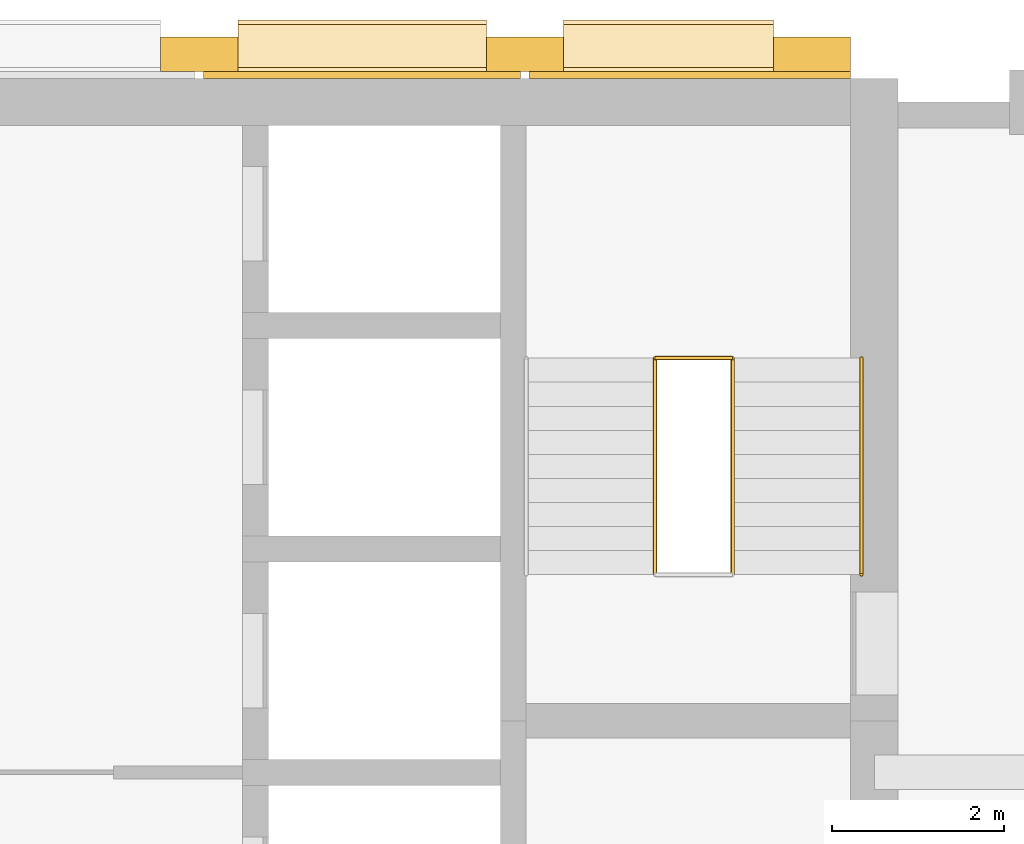
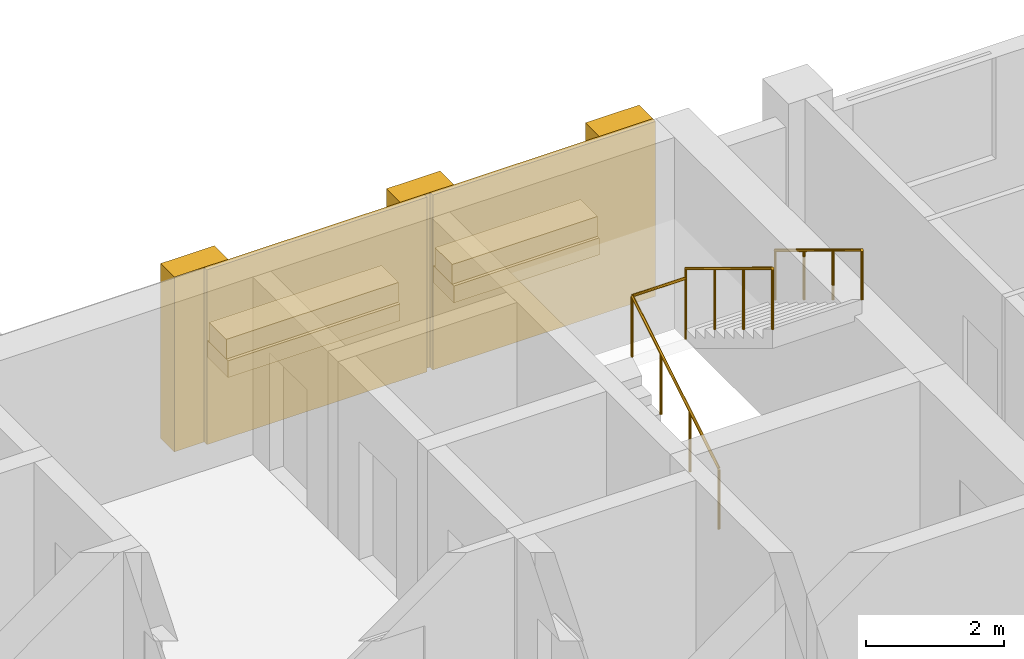
# One storey, part 13 of 13: 9 coverings, 4 railings, 1 element without a shape of its own.
"""IFC4 building model written with IfcOpenShell, lengths in metres."""

import ifcopenshell
import ifcopenshell.guid

model = None  # the IFC model being written
_history = None  # IfcOwnerHistory: only IFC2X3 demands one
_inside = {}  # id of a spatial element -> (the spatial element, [elements in it])
_under = {}  # id of a project, library or spatial element -> (it, [spatial elements below it])
_declared = {}  # id of a project -> (the project, [libraries it declares])
_typed = {}  # id of a type object -> (the type object, [elements of that type])
_made_of = {}  # id of a material, layer set ... -> (it, [elements and type objects made of it])


def new_model(schema):
    """Start an empty IFC model of exactly this schema.

    Asked for "IFC4X3", IfcOpenShell would pick the latest addendum, in which some entities
    have other attributes; the version numbers below select the first issue.
    IFC2X3 requires an IfcOwnerHistory on every rooted entity: one is made here for all.
    """
    global model, _history
    if schema == "IFC4X3":
        model = ifcopenshell.file(schema_version=(4, 3, 0, 0))
    else:
        model = ifcopenshell.file(schema=schema)
    _inside.clear()
    _under.clear()
    _declared.clear()
    _typed.clear()
    _made_of.clear()
    _history = None
    if model.schema == "IFC2X3":
        org = make("IfcOrganization", Name="unknown")
        user = make(
            "IfcPersonAndOrganization",
            ThePerson=make("IfcPerson", FamilyName="unknown"),
            TheOrganization=org,
        )
        app = make(
            "IfcApplication",
            ApplicationDeveloper=org,
            Version="unknown",
            ApplicationFullName="unknown",
            ApplicationIdentifier="unknown",
        )
        _history = make(
            "IfcOwnerHistory",
            OwningUser=user,
            OwningApplication=app,
            ChangeAction="ADDED",
            CreationDate=0,
        )
    return model


def make(cls, **values):
    """One entity of the class cls with the attributes given. An attribute that is None is left unset."""
    return model.create_entity(
        cls, **{name: value for name, value in values.items() if value is not None}
    )


def rooted(cls, **values):
    """An entity with a GlobalId (a new one), such as an element, a storey or a relation."""
    return make(cls, GlobalId=ifcopenshell.guid.new(), OwnerHistory=_history, **values)


def si_unit(unit_type, name, prefix=None):
    """IfcSIUnit, for example si_unit("LENGTHUNIT", "METRE", prefix="MILLI")."""
    return make("IfcSIUnit", UnitType=unit_type, Prefix=prefix, Name=name)


def assignment(units):
    """IfcUnitAssignment: the units of a project."""
    return None if units is None else make("IfcUnitAssignment", Units=units)


def point(xyz):
    """IfcCartesianPoint."""
    return None if xyz is None else make("IfcCartesianPoint", Coordinates=xyz)


def direction(xyz):
    """IfcDirection."""
    return None if xyz is None else make("IfcDirection", DirectionRatios=xyz)


def frame(location, z_axis=None, x_axis=None):
    """IfcAxis2Placement3D, a coordinate frame: its origin and axes. An axis left out is left unset."""
    return make(
        "IfcAxis2Placement3D",
        Location=point(location),
        Axis=direction(z_axis),
        RefDirection=direction(x_axis),
    )


def frame_2d(location, x_axis=None):
    """IfcAxis2Placement2D, a coordinate frame in the plane: its origin and x axis."""
    return make(
        "IfcAxis2Placement2D", Location=point(location), RefDirection=direction(x_axis)
    )


def origin():
    """The frame at (0, 0, 0) with its axes left unset."""
    return frame((0.0, 0.0, 0.0))


def origin_2d():
    """The frame at (0, 0) in the plane with its x axis left unset."""
    return frame_2d((0.0, 0.0))


def place(relative_to, where):
    """IfcLocalPlacement: puts the frame where relative to a parent placement (None: the world)."""
    return make(
        "IfcLocalPlacement", PlacementRelTo=relative_to, RelativePlacement=where
    )


def context(
    kind, dimensions, precision=None, world=None, true_north=None, identifier=None
):
    """IfcGeometricRepresentationContext, for example the 3D "Model" context."""
    return make(
        "IfcGeometricRepresentationContext",
        ContextIdentifier=identifier,
        ContextType=kind,
        CoordinateSpaceDimension=dimensions,
        Precision=precision,
        WorldCoordinateSystem=world,
        TrueNorth=true_north,
    )


def subcontext(parent, identifier, kind, view, scale=None):
    """IfcGeometricRepresentationSubContext, for example "Body" below "Model"."""
    return make(
        "IfcGeometricRepresentationSubContext",
        ContextIdentifier=identifier,
        ContextType=kind,
        ParentContext=parent,
        TargetScale=scale,
        TargetView=view,
    )


def project(units=None, contexts=None):
    """IfcProject with its units and contexts."""
    return rooted(
        "IfcProject",
        Name="project",
        RepresentationContexts=contexts,
        UnitsInContext=assignment(units),
    )


def spatial(cls, under=None, at=None, **own):
    """A site, building, storey or space (cls), placed at a placement, below another one or the project."""
    s = rooted(cls, ObjectPlacement=at, **own)
    if under is not None:
        _under.setdefault(under.id(), (under, []))[1].append(s)
    return s


def profile(cls, at=None, kind="AREA", **sizes):
    """A parametric profile (cls). Its sizes go by their IFC names, for example OverallWidth=200.0."""
    return make(cls, ProfileType=kind, Position=at, **sizes)


def rectangle(**sizes):
    """IfcRectangleProfileDef."""
    return profile("IfcRectangleProfileDef", **sizes)


def circle(**sizes):
    """IfcCircleProfileDef."""
    return profile("IfcCircleProfileDef", **sizes)


def extrude(swept, where, along, depth):
    """IfcExtrudedAreaSolid: the profile swept, set in the frame where, extruded along a direction by depth."""
    return make(
        "IfcExtrudedAreaSolid",
        SweptArea=swept,
        Position=where,
        ExtrudedDirection=direction(along),
        Depth=depth,
    )


def shape(context_of_items, identifier, shape_type, items):
    """IfcShapeRepresentation: the items that make up one representation, for example the "Body"."""
    return make(
        "IfcShapeRepresentation",
        ContextOfItems=context_of_items,
        RepresentationIdentifier=identifier,
        RepresentationType=shape_type,
        Items=items,
    )


def material(Name=None, Category=None):
    """IfcMaterial."""
    return make("IfcMaterial", Name=Name, Category=Category)


def layer(
    of_material, thickness, ventilated=None, Name=None, Category=None, Priority=None
):
    """IfcMaterialLayer: one layer of a wall or slab, of a material (None: an air gap)."""
    return make(
        "IfcMaterialLayer",
        Material=of_material,
        LayerThickness=thickness,
        IsVentilated=ventilated,
        Name=Name,
        Category=Category,
        Priority=Priority,
    )


def layer_set(layers, Name=None):
    """IfcMaterialLayerSet."""
    return make("IfcMaterialLayerSet", MaterialLayers=layers, LayerSetName=Name)


def made_of(thing, what):
    """Note that an element or type object is made of a material, layer set ...; save() writes the relation."""
    if what is not None:
        _made_of.setdefault(what.id(), (what, []))[1].append(thing)
    return thing


def type_object(cls, material=None, **own):
    """A type object (cls), such as IfcWallType, which elements share."""
    return made_of(rooted(cls, **own), material)


def element(
    cls,
    number,
    at=None,
    inside=None,
    cuts=None,
    type_object=None,
    material=None,
    context=None,
    identifier="Body",
    shape_type=None,
    held_by="IfcProductDefinitionShape",
    body=None,
    shapes=None,
    **own,
):
    """One element of the class cls, such as IfcWall. Its Tag is "e" and its number.

    at: its placement. inside: the storey or other place that contains it. cuts: it is an
    opening in that element (IfcRelVoidsElement). A single representation is given by context,
    identifier, shape_type and body (its items); several are given by shapes. held_by: the class
    of the entity that holds the representations. save() writes the other relations.
    """
    e = rooted(cls, Tag="e%d" % number, ObjectPlacement=at, **own)
    if body is not None:
        shapes = [shape(context, identifier, shape_type, body)]
    if shapes is not None:
        e.Representation = make(held_by, Representations=shapes)
    if inside is not None:
        _inside.setdefault(inside.id(), (inside, []))[1].append(e)
    if cuts is not None:
        rooted(
            "IfcRelVoidsElement", RelatingBuildingElement=cuts, RelatedOpeningElement=e
        )
    if type_object is not None:
        _typed.setdefault(type_object.id(), (type_object, []))[1].append(e)
    return made_of(e, material)


def aggregate(whole, parts):
    """IfcRelAggregates: a whole, such as a stair, and the parts it consists of."""
    return rooted("IfcRelAggregates", RelatingObject=whole, RelatedObjects=parts)


def save(model, path):
    """Write the relations noted so far, then the file.

    IfcRelAggregates (storeys below a building ...), IfcRelContainedInSpatialStructure (elements
    in a storey), IfcRelDefinesByType, IfcRelAssociatesMaterial and IfcRelDeclares: one each for
    every whole, place, type object, material and project.
    """
    for whole, parts in _under.values():
        aggregate(whole, parts)
    for where, things in _inside.values():
        rooted(
            "IfcRelContainedInSpatialStructure",
            RelatedElements=things,
            RelatingStructure=where,
        )
    for kind, things in _typed.values():
        rooted("IfcRelDefinesByType", RelatedObjects=things, RelatingType=kind)
    for what, things in _made_of.values():
        rooted("IfcRelAssociatesMaterial", RelatedObjects=things, RelatingMaterial=what)
    for by, libraries in _declared.values():
        rooted("IfcRelDeclares", RelatingContext=by, RelatedDefinitions=libraries)
    model.write(path)


model = new_model("IFC4")

# Units and contexts
model_context = context("Model", 3, precision=1e-05, world=origin(), true_north=direction((0.0, 1.0)))
body_context = subcontext(model_context, "Body", "Model", "MODEL_VIEW")
ifc_project = project(units=[si_unit("LENGTHUNIT", "METRE"), si_unit("AREAUNIT", "SQUARE_METRE"), si_unit("VOLUMEUNIT", "CUBIC_METRE"), si_unit("PLANEANGLEUNIT", "RADIAN"), si_unit("MASSUNIT", "GRAM", prefix="KILO")], contexts=[model_context])

# Site, building, storey
site_placement = place(None, origin())
site = spatial("IfcSite", under=ifc_project, at=site_placement, CompositionType="ELEMENT")
building_placement = place(site_placement, origin())
building = spatial("IfcBuilding", under=site, at=building_placement, Name="Ludao Terraces", CompositionType="ELEMENT")
storey_placement = place(building_placement, frame((0.0, 0.0, 186.0)))
storey = spatial("IfcBuildingStorey", under=building, at=storey_placement, Name="L50", CompositionType="ELEMENT", Elevation=186.0)

# Coverings
ifc_material_1 = material(Name="Granite cladding", Category="masonry")
ifc_layer_1 = layer(ifc_material_1, 0.39990234375)
ifc_layer_set_1 = layer_set([ifc_layer_1], Name="ENV Core pilaster stone 400")
covering_type_1 = type_object("IfcCoveringType", Name="ENV Core pilaster stone 400", PredefinedType="CLADDING", material=ifc_layer_set_1)
for number, where, z_axis, x_axis, name in (
    (1, (86.89501953125, 85.054931640625, 0.0), (0.0, 0.0, 1.0), (1.0, 0.0, 0.0), "CC-L50-PIL4"),
    (2, (90.68505859375, 85.054931640625, 0.0), (0.0, 0.0, 1.0), (1.0, 0.0, 0.0), "CC-L50-PIL5"),
    (3, (94.02490234375, 85.054931640625, 0.0), (0.0, 0.0, 1.0), (1.0, 0.0, 0.0), "CC-L50-PIL6"),
):
    element("IfcCovering", number, at=place(storey_placement, frame(where, z_axis=z_axis, x_axis=x_axis)), inside=storey, type_object=covering_type_1, Name=name, PredefinedType="CLADDING", context=body_context, shape_type="SweptSolid", body=[
        extrude(rectangle(XDim=0.89990234375, YDim=0.39990234375, at=origin_2d()), origin(), (0.0, 0.0, 1.0), 3.10009765625),
    ])
ifc_layer_2 = layer(ifc_material_1, 0.60009765625)
ifc_layer_set_2 = layer_set([ifc_layer_2], Name="ENV Core planting shelf stone 600")
covering_type_2 = type_object("IfcCoveringType", Name="ENV Core planting shelf stone 600", PredefinedType="CLADDING", material=ifc_layer_set_2)
covering_1_placement = place(storey_placement, frame((88.7900390625, 85.155029296875, 1.0), z_axis=(0.0, 0.0, 1.0), x_axis=(1.0, 0.0, 0.0)))
element("IfcCovering", 4, at=covering_1_placement, inside=storey, type_object=covering_type_2, Name="CC-L50-SHELF4", PredefinedType="CLADDING", context=body_context, shape_type="SweptSolid", body=[
    extrude(rectangle(XDim=2.889892578125, YDim=0.60009765625, at=origin_2d()), origin(), (0.0, 0.0, 1.0), 0.300048828125),
])
covering_2_placement = place(storey_placement, frame((92.35498046875, 85.155029296875, 1.0), z_axis=(0.0, 0.0, 1.0), x_axis=(1.0, 0.0, 0.0)))
element("IfcCovering", 5, at=covering_2_placement, inside=storey, type_object=covering_type_2, Name="CC-L50-SHELF5", PredefinedType="CLADDING", context=body_context, shape_type="SweptSolid", body=[
    extrude(rectangle(XDim=2.43994140625, YDim=0.60009765625, at=origin_2d()), origin(), (0.0, 0.0, 1.0), 0.300048828125),
])
ifc_layer_3 = layer(ifc_material_1, 0.080078125)
ifc_layer_set_3 = layer_set([ifc_layer_3], Name="ENV Core stone cladding panel 80")
covering_type_3 = type_object("IfcCoveringType", Name="ENV Core stone cladding panel 80", PredefinedType="CLADDING", material=ifc_layer_set_3)
covering_3_placement = place(storey_placement, frame((88.7900390625, 84.81494140625, 0.0), z_axis=(0.0, 0.0, 1.0), x_axis=(1.0, 0.0, 0.0)))
element("IfcCovering", 6, at=covering_3_placement, inside=storey, type_object=covering_type_3, Name="CC-L50-CORE4", PredefinedType="CLADDING", context=body_context, shape_type="SweptSolid", body=[
    extrude(rectangle(XDim=3.68994140625, YDim=0.080078125, at=origin_2d()), origin(), (0.0, 0.0, 1.0), 3.10009765625),
])
covering_4_placement = place(storey_placement, frame((92.60498046875, 84.81494140625, 0.0), z_axis=(0.0, 0.0, 1.0), x_axis=(1.0, 0.0, 0.0)))
element("IfcCovering", 7, at=covering_4_placement, inside=storey, type_object=covering_type_3, Name="CC-L50-CORE5", PredefinedType="CLADDING", context=body_context, shape_type="SweptSolid", body=[
    extrude(rectangle(XDim=3.739990234375, YDim=0.080078125, at=origin_2d()), origin(), (0.0, 0.0, 1.0), 3.10009765625),
])
ifc_material_2 = material(Name="Planting")
ifc_layer_4 = layer(ifc_material_2, 0.5)
ifc_layer_set_4 = layer_set([ifc_layer_4], Name="ENV Shelf planting bed 350")
covering_type_4 = type_object("IfcCoveringType", Name="ENV Shelf planting bed 350", PredefinedType="USERDEFINED", material=ifc_layer_set_4)
covering_5_placement = place(storey_placement, frame((88.7900390625, 85.155029296875, 1.300048828125), z_axis=(0.0, 0.0, 1.0), x_axis=(1.0, 0.0, 0.0)))
element("IfcCovering", 8, at=covering_5_placement, inside=storey, type_object=covering_type_4, Name="Shelf planting bed L50 4", ObjectType="PLANTING", PredefinedType="USERDEFINED", context=body_context, shape_type="SweptSolid", body=[
    extrude(rectangle(XDim=2.889892578125, YDim=0.5, at=origin_2d()), origin(), (0.0, 0.0, 1.0), 0.35009765625),
])
covering_6_placement = place(storey_placement, frame((92.35498046875, 85.155029296875, 1.300048828125), z_axis=(0.0, 0.0, 1.0), x_axis=(1.0, 0.0, 0.0)))
element("IfcCovering", 9, at=covering_6_placement, inside=storey, type_object=covering_type_4, Name="Shelf planting bed L50 5", ObjectType="PLANTING", PredefinedType="USERDEFINED", context=body_context, shape_type="SweptSolid", body=[
    extrude(rectangle(XDim=2.43994140625, YDim=0.5, at=origin_2d()), origin(), (0.0, 0.0, 1.0), 0.35009765625),
])

# Stair, railings
ifc_material_3 = material(Name="Concrete C40", Category="concrete")
stair_type = type_object("IfcStairType", Name="INT Stair", PredefinedType="HALF_TURN_STAIR", material=ifc_material_3)
stair_placement = place(storey_placement, origin())
stair = element("IfcStair", 10, at=stair_placement, inside=storey, type_object=stair_type, Name="EXIT STAIR 2", PredefinedType="HALF_TURN_STAIR")
ifc_material_4 = material(Name="Stainless steel 304", Category="steel")
railing_type_1 = type_object("IfcRailingType", Name="INT Stair guard 1100", PredefinedType="GUARDRAIL", material=ifc_material_4)
railing_1_placement = place(storey_placement, frame((92.199951171875, 79.0, 0.169921875)))
railing_1 = element("IfcRailing", 11, at=railing_1_placement, type_object=railing_type_1, Name="ST-L50-S2-R1G", PredefinedType="GUARDRAIL", context=body_context, shape_type="SweptSolid", body=[
    extrude(circle(Radius=0.02392578125, at=origin_2d()), frame((0.0, 0.0, 1.076171875), z_axis=(0.0, 0.85478489116, 0.518982456201), x_axis=(-1.0, 0.0, 0.0)), (0.0, 0.0, 1.0), 2.9482421875),
    extrude(circle(Radius=0.02099609375, at=origin_2d()), origin(), (0.0, 0.0, 1.0), 1.052001953125),
    extrude(circle(Radius=0.02099609375, at=origin_2d()), frame((0.0, 0.840087890625, 0.510009765625)), (0.0, 0.0, 1.0), 1.052001953125),
    extrude(circle(Radius=0.02099609375, at=origin_2d()), frame((0.0, 1.679931640625, 1.02001953125)), (0.0, 0.0, 1.0), 1.052001953125),
    extrude(circle(Radius=0.02099609375, at=origin_2d()), frame((0.0, 2.52001953125, 1.530029296875)), (0.0, 0.0, 1.0), 1.052001953125),
])
railing_2_placement = place(storey_placement, frame((93.10009765625, 81.52001953125, 1.8701171875)))
railing_2 = element("IfcRailing", 12, at=railing_2_placement, type_object=railing_type_1, Name="ST-L50-S2-R2G", PredefinedType="GUARDRAIL", context=body_context, shape_type="SweptSolid", body=[
    extrude(circle(Radius=0.02392578125, at=origin_2d()), frame((0.0, 0.0, 1.076171875), z_axis=(0.0, -0.854821627497, 0.518921945155), x_axis=(1.0, 0.0, 0.0)), (0.0, 0.0, 1.0), 2.947998046875),
    extrude(circle(Radius=0.02099609375, at=origin_2d()), origin(), (0.0, 0.0, 1.0), 1.052001953125),
    extrude(circle(Radius=0.02099609375, at=origin_2d()), frame((0.0, -0.840087890625, 0.510009765625)), (0.0, 0.0, 1.0), 1.052001953125),
    extrude(circle(Radius=0.02099609375, at=origin_2d()), frame((0.0, -1.679931640625, 1.019775390625)), (0.0, 0.0, 1.0), 1.052001953125),
    extrude(circle(Radius=0.02099609375, at=origin_2d()), frame((0.0, -2.52001953125, 1.52978515625)), (0.0, 0.0, 1.0), 1.052001953125),
])
railing_3_placement = place(storey_placement, frame((92.199951171875, 81.52001953125, 1.699951171875)))
railing_3 = element("IfcRailing", 13, at=railing_3_placement, type_object=railing_type_1, Name="ST-L50-S2-E1G", PredefinedType="GUARDRAIL", context=body_context, shape_type="SweptSolid", body=[
    extrude(circle(Radius=0.02392578125, at=origin_2d()), frame((0.0, 0.0, 1.076171875), z_axis=(1.0, 0.0, 0.0), x_axis=(0.0, 1.0, 0.0)), (0.0, 0.0, 1.0), 0.900146484375),
    extrude(circle(Radius=0.02099609375, at=origin_2d()), origin(), (0.0, 0.0, 1.0), 1.052001953125),
    extrude(circle(Radius=0.02099609375, at=origin_2d()), frame((0.900146484375, 0.0, 0.0)), (0.0, 0.0, 1.0), 1.052001953125),
])
railing_type_2 = type_object("IfcRailingType", Name="INT Stair handrail 900", PredefinedType="HANDRAIL", material=ifc_material_4)
railing_4_placement = place(storey_placement, frame((94.60009765625, 81.52001953125, 1.8701171875)))
railing_4 = element("IfcRailing", 14, at=railing_4_placement, type_object=railing_type_2, Name="ST-L50-S2-R2H", PredefinedType="HANDRAIL", context=body_context, shape_type="SweptSolid", body=[
    extrude(circle(Radius=0.02392578125, at=origin_2d()), frame((0.0, 0.0, 0.8759765625), z_axis=(0.0, -0.854821627497, 0.518921945155), x_axis=(1.0, 0.0, 0.0)), (0.0, 0.0, 1.0), 2.947998046875),
    extrude(circle(Radius=0.02099609375, at=origin_2d()), origin(), (0.0, 0.0, 1.0), 0.851806640625),
    extrude(circle(Radius=0.02099609375, at=origin_2d()), frame((0.0, -0.840087890625, 0.510009765625)), (0.0, 0.0, 1.0), 0.851806640625),
    extrude(circle(Radius=0.02099609375, at=origin_2d()), frame((0.0, -1.679931640625, 1.019775390625)), (0.0, 0.0, 1.0), 0.851806640625),
    extrude(circle(Radius=0.02099609375, at=origin_2d()), frame((0.0, -2.52001953125, 1.52978515625)), (0.0, 0.0, 1.0), 0.851806640625),
])
aggregate(stair, [railing_1, railing_2, railing_4, railing_3])

save(model, "model.ifc")
